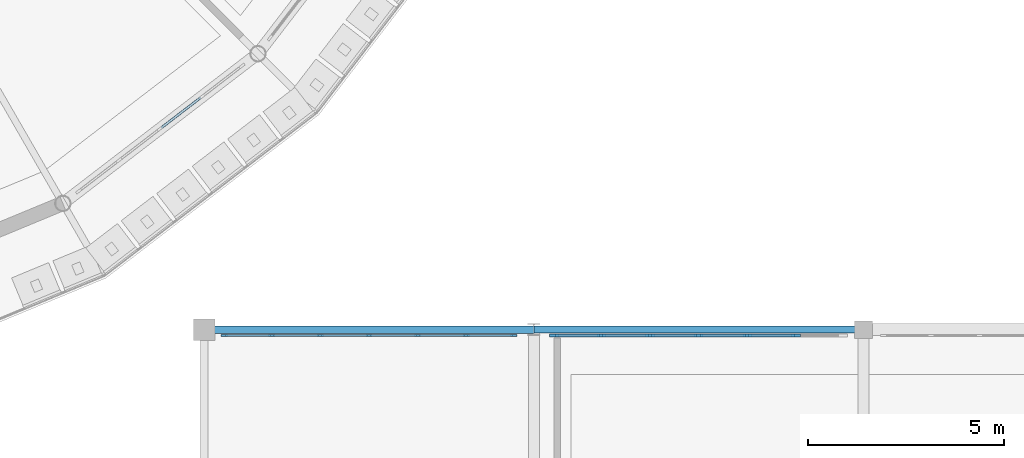
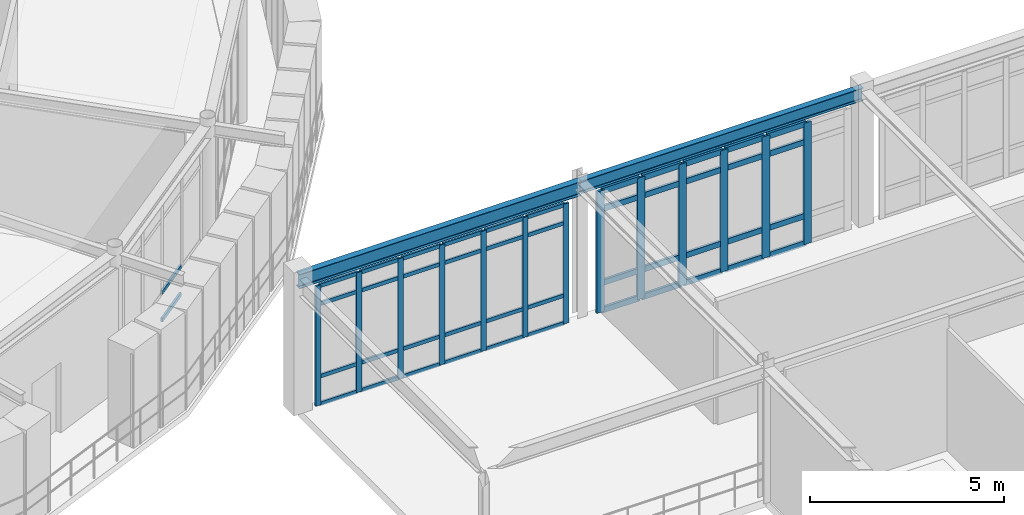
# One storey, part 40 of 106: 59 members, 2 beams, 3 elements without a shape of their own.
"""IFC4 building model written with IfcOpenShell, lengths in metres."""

from ifc_helpers import new_model, si_unit, derived_unit, direction, frame, origin, origin_2d, place, context, subcontext, project, spatial, rectangle, i_section, extrude, material, layer, layer_set, material_profile, profile_set, type_object, element, aggregate, save


model = new_model("IFC4")

# Units and contexts
model_context = context("Model", 3, precision=1e-05, world=origin(), true_north=direction((0.0, 1.0)))
body_context = subcontext(model_context, "Body", "Model", "MODEL_VIEW")
ifc_project = project(units=[si_unit("LENGTHUNIT", "METRE"), si_unit("AREAUNIT", "SQUARE_METRE"), si_unit("VOLUMEUNIT", "CUBIC_METRE"), si_unit("PLANEANGLEUNIT", "RADIAN"), si_unit("MASSUNIT", "GRAM", prefix="KILO"), derived_unit("THERMALTRANSMITTANCEUNIT", [(si_unit("POWERUNIT", "WATT"), 1), (si_unit("AREAUNIT", "SQUARE_METRE"), -1), (si_unit("THERMODYNAMICTEMPERATUREUNIT", "KELVIN"), -1)])], contexts=[model_context])

# Site, building, storey
site_placement = place(None, origin())
site = spatial("IfcSite", under=ifc_project, at=site_placement, CompositionType="ELEMENT")
building_placement = place(site_placement, origin())
building = spatial("IfcBuilding", under=site, at=building_placement, Name="Yasenodar Specialist Clinic", CompositionType="ELEMENT")
storey_placement = place(building_placement, frame((0.0, 0.0, 4.5)))
storey = spatial("IfcBuildingStorey", under=building, at=storey_placement, Name="L01", CompositionType="ELEMENT", Elevation=4.5)

# Beams
ifc_material_1 = material(Name="Steel S355", Category="steel")
ifc_material_profile_1 = material_profile(ifc_material_1, i_section(OverallWidth=0.179931640625, OverallDepth=0.39990234375, WebThickness=0.008544921875, FlangeThickness=0.013427734375, FilletRadius=0.02099609375, at=origin_2d()), Name="IPE 400")
ifc_profile_set_1 = profile_set([ifc_material_profile_1], Name="Steel S355")
beam_type_1 = type_object("IfcBeamType", Name="BM-IPE400", PredefinedType="BEAM", material=ifc_profile_set_1)
beam_1_placement = place(storey_placement, frame((105.0, 34.800048828125, 4.050048828125), z_axis=(1.0, 0.0, 0.0), x_axis=(0.0, 1.0, 0.0)))
element("IfcBeam", 1, at=beam_1_placement, inside=storey, type_object=beam_type_1, Name="L01 Primary E-W Girder", PredefinedType="BEAM", context=body_context, shape_type="SweptSolid", body=[
    extrude(i_section(OverallWidth=0.179931640625, OverallDepth=0.39990234375, WebThickness=0.008544921875, FlangeThickness=0.013427734375, FilletRadius=0.02099609375, at=origin_2d()), origin(), (0.0, 0.0, 1.0), 8.39990234375),
])
ifc_material_profile_2 = material_profile(ifc_material_1, i_section(OverallWidth=0.18994140625, OverallDepth=0.449951171875, WebThickness=0.009521484375, FlangeThickness=0.0146484375, FilletRadius=0.02099609375, at=origin_2d()), Name="IPE 450")
ifc_profile_set_2 = profile_set([ifc_material_profile_2], Name="Steel S355")
beam_type_2 = type_object("IfcBeamType", Name="BM-IPE450", PredefinedType="BEAM", material=ifc_profile_set_2)
beam_2_placement = place(storey_placement, frame((96.60009765625, 34.800048828125, 4.02490234375), z_axis=(1.0, 0.0, 0.0), x_axis=(0.0, 1.0, 0.0)))
element("IfcBeam", 2, at=beam_2_placement, inside=storey, type_object=beam_type_2, Name="L01 Primary E-W Girder", PredefinedType="BEAM", context=body_context, shape_type="SweptSolid", body=[
    extrude(i_section(OverallWidth=0.18994140625, OverallDepth=0.449951171875, WebThickness=0.009521484375, FlangeThickness=0.0146484375, FilletRadius=0.02099609375, at=origin_2d()), origin(), (0.0, 0.0, 1.0), 8.39990234375),
])

# Curtain wall, members
ifc_material_2 = material(Name="Bronze Anodized Aluminium and Triple Low-E Glass", Category="aluminium")
ifc_layer_1 = layer(ifc_material_2, 0.178955078125)
ifc_layer_set_1 = layer_set([ifc_layer_1], Name="Bronze Anodized Aluminium and Triple Low-E Glass")
curtain_wall_type_1 = type_object("IfcCurtainWallType", Name="CW-SYS-02", PredefinedType="USERDEFINED", material=ifc_layer_set_1)
curtain_wall_1_placement = place(storey_placement, origin())
curtain_wall_1 = element("IfcCurtainWall", 3, at=curtain_wall_1_placement, inside=storey, type_object=curtain_wall_type_1, Name="L01 Unitised Curtain Wall 094", ObjectType="UNITISED CURTAIN WALL", PredefinedType="USERDEFINED")
ifc_material_3 = material(Name="Bronze Anodized Aluminium", Category="aluminium")
ifc_material_profile_3 = material_profile(ifc_material_3, rectangle(XDim=0.06005859375, YDim=0.159912109375, at=origin_2d()), Name="CW-MULL 60x160")
ifc_profile_set_3 = profile_set([ifc_material_profile_3], Name="Bronze Anodized Aluminium")
member_type_1 = type_object("IfcMemberType", Name="CW-MULL-160", PredefinedType="MULLION", material=ifc_profile_set_3)
member_1_placement = place(storey_placement, frame((97.110107421875, 34.64990234375, 0.0), z_axis=(0.0, 0.0, 1.0), x_axis=(0.0, 1.0, 0.0)))
member_1 = element("IfcMember", 4, at=member_1_placement, type_object=member_type_1, Name="CW-02 mullion 1", PredefinedType="MULLION", context=body_context, shape_type="SweptSolid", body=[
    extrude(rectangle(XDim=0.06005859375, YDim=0.159912109375, at=origin_2d()), origin(), (0.0, 0.0, 1.0), 3.778076171875),
])
member_2_placement = place(storey_placement, frame((98.320068359375, 34.64990234375, 0.0), z_axis=(0.0, 0.0, 1.0), x_axis=(0.0, 1.0, 0.0)))
member_2 = element("IfcMember", 5, at=member_2_placement, type_object=member_type_1, Name="CW-02 mullion 2", PredefinedType="MULLION", context=body_context, shape_type="SweptSolid", body=[
    extrude(rectangle(XDim=0.06005859375, YDim=0.159912109375, at=origin_2d()), origin(), (0.0, 0.0, 1.0), 3.778076171875),
])
member_3_placement = place(storey_placement, frame((99.56005859375, 34.64990234375, 0.0), z_axis=(0.0, 0.0, 1.0), x_axis=(0.0, 1.0, 0.0)))
member_3 = element("IfcMember", 6, at=member_3_placement, type_object=member_type_1, Name="CW-02 mullion 3", PredefinedType="MULLION", context=body_context, shape_type="SweptSolid", body=[
    extrude(rectangle(XDim=0.06005859375, YDim=0.159912109375, at=origin_2d()), origin(), (0.0, 0.0, 1.0), 3.778076171875),
])
member_4_placement = place(storey_placement, frame((100.800048828125, 34.64990234375, 0.0), z_axis=(0.0, 0.0, 1.0), x_axis=(0.0, 1.0, 0.0)))
member_4 = element("IfcMember", 7, at=member_4_placement, type_object=member_type_1, Name="CW-02 mullion 4", PredefinedType="MULLION", context=body_context, shape_type="SweptSolid", body=[
    extrude(rectangle(XDim=0.06005859375, YDim=0.159912109375, at=origin_2d()), origin(), (0.0, 0.0, 1.0), 3.778076171875),
])
member_5_placement = place(storey_placement, frame((102.0400390625, 34.64990234375, 0.0), z_axis=(0.0, 0.0, 1.0), x_axis=(0.0, 1.0, 0.0)))
member_5 = element("IfcMember", 8, at=member_5_placement, type_object=member_type_1, Name="CW-02 mullion 5", PredefinedType="MULLION", context=body_context, shape_type="SweptSolid", body=[
    extrude(rectangle(XDim=0.06005859375, YDim=0.159912109375, at=origin_2d()), origin(), (0.0, 0.0, 1.0), 3.778076171875),
])
member_6_placement = place(storey_placement, frame((103.280029296875, 34.64990234375, 0.0), z_axis=(0.0, 0.0, 1.0), x_axis=(0.0, 1.0, 0.0)))
member_6 = element("IfcMember", 9, at=member_6_placement, type_object=member_type_1, Name="CW-02 mullion 6", PredefinedType="MULLION", context=body_context, shape_type="SweptSolid", body=[
    extrude(rectangle(XDim=0.06005859375, YDim=0.159912109375, at=origin_2d()), origin(), (0.0, 0.0, 1.0), 3.778076171875),
])
member_7_placement = place(storey_placement, frame((104.489990234375, 34.64990234375, 0.0), z_axis=(0.0, 0.0, 1.0), x_axis=(0.0, 1.0, 0.0)))
member_7 = element("IfcMember", 10, at=member_7_placement, type_object=member_type_1, Name="CW-02 mullion 7", PredefinedType="MULLION", context=body_context, shape_type="SweptSolid", body=[
    extrude(rectangle(XDim=0.06005859375, YDim=0.159912109375, at=origin_2d()), origin(), (0.0, 0.0, 1.0), 3.778076171875),
])

curtain_wall_2_placement = place(storey_placement, origin())
curtain_wall_2 = element("IfcCurtainWall", 11, at=curtain_wall_2_placement, inside=storey, type_object=curtain_wall_type_1, Name="L01 Unitised Curtain Wall 095", ObjectType="UNITISED CURTAIN WALL", PredefinedType="USERDEFINED")
ifc_material_profile_4 = material_profile(ifc_material_3, rectangle(XDim=0.074951171875, YDim=0.22509765625, at=origin_2d()), Name="CW-MULL 75x225")
ifc_profile_set_4 = profile_set([ifc_material_profile_4], Name="Bronze Anodized Aluminium")
member_type_2 = type_object("IfcMemberType", Name="CW-MULL-225", PredefinedType="MULLION", material=ifc_profile_set_4)
member_8_placement = place(storey_placement, frame((105.517578125, 34.64990234375, 0.0), z_axis=(0.0, 0.0, 1.0), x_axis=(0.0, 1.0, 0.0)))
member_8 = element("IfcMember", 12, at=member_8_placement, type_object=member_type_2, Name="CW-02 mullion 1", PredefinedType="MULLION", context=body_context, shape_type="SweptSolid", body=[
    extrude(rectangle(XDim=0.074951171875, YDim=0.22509765625, at=origin_2d()), origin(), (0.0, 0.0, 1.0), 3.827880859375),
])
member_9_placement = place(storey_placement, frame((106.719970703125, 34.64990234375, 0.0), z_axis=(0.0, 0.0, 1.0), x_axis=(0.0, 1.0, 0.0)))
member_9 = element("IfcMember", 13, at=member_9_placement, type_object=member_type_2, Name="CW-02 mullion 2", PredefinedType="MULLION", context=body_context, shape_type="SweptSolid", body=[
    extrude(rectangle(XDim=0.074951171875, YDim=0.22509765625, at=origin_2d()), origin(), (0.0, 0.0, 1.0), 3.827880859375),
])
member_10_placement = place(storey_placement, frame((107.9599609375, 34.64990234375, 0.0), z_axis=(0.0, 0.0, 1.0), x_axis=(0.0, 1.0, 0.0)))
member_10 = element("IfcMember", 14, at=member_10_placement, type_object=member_type_2, Name="CW-02 mullion 3", PredefinedType="MULLION", context=body_context, shape_type="SweptSolid", body=[
    extrude(rectangle(XDim=0.074951171875, YDim=0.22509765625, at=origin_2d()), origin(), (0.0, 0.0, 1.0), 3.827880859375),
])
member_11_placement = place(storey_placement, frame((109.199951171875, 34.64990234375, 0.0), z_axis=(0.0, 0.0, 1.0), x_axis=(0.0, 1.0, 0.0)))
member_11 = element("IfcMember", 15, at=member_11_placement, type_object=member_type_2, Name="CW-02 mullion 4", PredefinedType="MULLION", context=body_context, shape_type="SweptSolid", body=[
    extrude(rectangle(XDim=0.074951171875, YDim=0.22509765625, at=origin_2d()), origin(), (0.0, 0.0, 1.0), 3.827880859375),
])
member_12_placement = place(storey_placement, frame((110.43994140625, 34.64990234375, 0.0), z_axis=(0.0, 0.0, 1.0), x_axis=(0.0, 1.0, 0.0)))
member_12 = element("IfcMember", 16, at=member_12_placement, type_object=member_type_2, Name="CW-02 mullion 5", PredefinedType="MULLION", context=body_context, shape_type="SweptSolid", body=[
    extrude(rectangle(XDim=0.074951171875, YDim=0.22509765625, at=origin_2d()), origin(), (0.0, 0.0, 1.0), 3.827880859375),
])
member_13_placement = place(storey_placement, frame((111.679931640625, 34.64990234375, 0.0), z_axis=(0.0, 0.0, 1.0), x_axis=(0.0, 1.0, 0.0)))
member_13 = element("IfcMember", 17, at=member_13_placement, type_object=member_type_2, Name="CW-02 mullion 6", PredefinedType="MULLION", context=body_context, shape_type="SweptSolid", body=[
    extrude(rectangle(XDim=0.074951171875, YDim=0.22509765625, at=origin_2d()), origin(), (0.0, 0.0, 1.0), 3.827880859375),
])

ifc_layer_2 = layer(ifc_material_2, 0.1669921875)
ifc_layer_set_2 = layer_set([ifc_layer_2], Name="Bronze Anodized Aluminium and Triple Low-E Glass")
curtain_wall_type_2 = type_object("IfcCurtainWallType", Name="CW-SYS-01", PredefinedType="USERDEFINED", material=ifc_layer_set_2)
curtain_wall_3_placement = place(storey_placement, origin())
curtain_wall_3 = element("IfcCurtainWall", 18, at=curtain_wall_3_placement, inside=storey, type_object=curtain_wall_type_2, Name="L01 Unitised Curtain Wall 023", ObjectType="UNITISED CURTAIN WALL", PredefinedType="USERDEFINED")
ifc_material_profile_5 = material_profile(ifc_material_3, rectangle(XDim=0.06005859375, YDim=0.1201171875, at=origin_2d()), Name="CW-TRAN 60x120")
ifc_profile_set_5 = profile_set([ifc_material_profile_5], Name="Bronze Anodized Aluminium")
member_type_3 = type_object("IfcMemberType", Name="CW-TRAN-120", PredefinedType="USERDEFINED", material=ifc_profile_set_5)
member_14_placement = place(storey_placement, frame((96.513671875, 40.71142578125, 0.030029296875), z_axis=(-0.793404604701, -0.608694614104, 0.0), x_axis=(0.608694614104, -0.793404604701, 0.0)))
member_14 = element("IfcMember", 19, at=member_14_placement, type_object=member_type_3, Name="CW-01 transom 2.1", ObjectType="TRANSOM", PredefinedType="USERDEFINED", context=body_context, shape_type="SweptSolid", body=[
    extrude(rectangle(XDim=0.06005859375, YDim=0.1201171875, at=origin_2d()), origin(), (0.0, 0.0, 1.0), 1.266357421875),
])
member_15_placement = place(storey_placement, frame((96.513671875, 40.71142578125, 0.89990234375), z_axis=(-0.793404604701, -0.608694614104, 0.0), x_axis=(0.608694614104, -0.793404604701, 0.0)))
member_15 = element("IfcMember", 20, at=member_15_placement, type_object=member_type_3, Name="CW-01 transom 2.2", ObjectType="TRANSOM", PredefinedType="USERDEFINED", context=body_context, shape_type="SweptSolid", body=[
    extrude(rectangle(XDim=0.06005859375, YDim=0.1201171875, at=origin_2d()), origin(), (0.0, 0.0, 1.0), 1.266357421875),
])
aggregate(curtain_wall_3, [member_14, member_15])

# Member
member_16_placement = place(storey_placement, frame((97.139892578125, 34.64990234375, 0.030029296875), z_axis=(1.0, 0.0, 0.0), x_axis=(0.0, 1.0, 0.0)))
member_16 = element("IfcMember", 21, at=member_16_placement, type_object=member_type_3, Name="CW-02 transom 1.1", ObjectType="TRANSOM", PredefinedType="USERDEFINED", context=body_context, shape_type="SweptSolid", body=[
    extrude(rectangle(XDim=0.06005859375, YDim=0.1201171875, at=origin_2d()), origin(), (0.0, 0.0, 1.0), 1.150146484375),
])

member_17_placement = place(storey_placement, frame((97.139892578125, 34.64990234375, 0.89990234375), z_axis=(1.0, 0.0, 0.0), x_axis=(0.0, 1.0, 0.0)))
member_17 = element("IfcMember", 22, at=member_17_placement, type_object=member_type_3, Name="CW-02 transom 1.2", ObjectType="TRANSOM", PredefinedType="USERDEFINED", context=body_context, shape_type="SweptSolid", body=[
    extrude(rectangle(XDim=0.06005859375, YDim=0.1201171875, at=origin_2d()), origin(), (0.0, 0.0, 1.0), 1.150146484375),
])

member_18_placement = place(storey_placement, frame((97.139892578125, 34.64990234375, 3.177978515625), z_axis=(1.0, 0.0, 0.0), x_axis=(0.0, 1.0, 0.0)))
member_18 = element("IfcMember", 23, at=member_18_placement, type_object=member_type_3, Name="CW-02 transom 1.3", ObjectType="TRANSOM", PredefinedType="USERDEFINED", context=body_context, shape_type="SweptSolid", body=[
    extrude(rectangle(XDim=0.06005859375, YDim=0.1201171875, at=origin_2d()), origin(), (0.0, 0.0, 1.0), 1.150146484375),
])

member_19_placement = place(storey_placement, frame((97.139892578125, 34.64990234375, 3.748046875), z_axis=(1.0, 0.0, 0.0), x_axis=(0.0, 1.0, 0.0)))
member_19 = element("IfcMember", 24, at=member_19_placement, type_object=member_type_3, Name="CW-02 transom 1.4", ObjectType="TRANSOM", PredefinedType="USERDEFINED", context=body_context, shape_type="SweptSolid", body=[
    extrude(rectangle(XDim=0.06005859375, YDim=0.1201171875, at=origin_2d()), origin(), (0.0, 0.0, 1.0), 1.150146484375),
])

member_20_placement = place(storey_placement, frame((98.35009765625, 34.64990234375, 0.030029296875), z_axis=(1.0, 0.0, 0.0), x_axis=(0.0, 1.0, 0.0)))
member_20 = element("IfcMember", 25, at=member_20_placement, type_object=member_type_3, Name="CW-02 transom 2.1", ObjectType="TRANSOM", PredefinedType="USERDEFINED", context=body_context, shape_type="SweptSolid", body=[
    extrude(rectangle(XDim=0.06005859375, YDim=0.1201171875, at=origin_2d()), origin(), (0.0, 0.0, 1.0), 1.179931640625),
])

member_21_placement = place(storey_placement, frame((98.35009765625, 34.64990234375, 0.89990234375), z_axis=(1.0, 0.0, 0.0), x_axis=(0.0, 1.0, 0.0)))
member_21 = element("IfcMember", 26, at=member_21_placement, type_object=member_type_3, Name="CW-02 transom 2.2", ObjectType="TRANSOM", PredefinedType="USERDEFINED", context=body_context, shape_type="SweptSolid", body=[
    extrude(rectangle(XDim=0.06005859375, YDim=0.1201171875, at=origin_2d()), origin(), (0.0, 0.0, 1.0), 1.179931640625),
])

member_22_placement = place(storey_placement, frame((98.35009765625, 34.64990234375, 3.177978515625), z_axis=(1.0, 0.0, 0.0), x_axis=(0.0, 1.0, 0.0)))
member_22 = element("IfcMember", 27, at=member_22_placement, type_object=member_type_3, Name="CW-02 transom 2.3", ObjectType="TRANSOM", PredefinedType="USERDEFINED", context=body_context, shape_type="SweptSolid", body=[
    extrude(rectangle(XDim=0.06005859375, YDim=0.1201171875, at=origin_2d()), origin(), (0.0, 0.0, 1.0), 1.179931640625),
])

member_23_placement = place(storey_placement, frame((98.35009765625, 34.64990234375, 3.748046875), z_axis=(1.0, 0.0, 0.0), x_axis=(0.0, 1.0, 0.0)))
member_23 = element("IfcMember", 28, at=member_23_placement, type_object=member_type_3, Name="CW-02 transom 2.4", ObjectType="TRANSOM", PredefinedType="USERDEFINED", context=body_context, shape_type="SweptSolid", body=[
    extrude(rectangle(XDim=0.06005859375, YDim=0.1201171875, at=origin_2d()), origin(), (0.0, 0.0, 1.0), 1.179931640625),
])

member_24_placement = place(storey_placement, frame((99.590087890625, 34.64990234375, 0.030029296875), z_axis=(1.0, 0.0, 0.0), x_axis=(0.0, 1.0, 0.0)))
member_24 = element("IfcMember", 29, at=member_24_placement, type_object=member_type_3, Name="CW-02 transom 3.1", ObjectType="TRANSOM", PredefinedType="USERDEFINED", context=body_context, shape_type="SweptSolid", body=[
    extrude(rectangle(XDim=0.06005859375, YDim=0.1201171875, at=origin_2d()), origin(), (0.0, 0.0, 1.0), 1.179931640625),
])

member_25_placement = place(storey_placement, frame((99.590087890625, 34.64990234375, 0.89990234375), z_axis=(1.0, 0.0, 0.0), x_axis=(0.0, 1.0, 0.0)))
member_25 = element("IfcMember", 30, at=member_25_placement, type_object=member_type_3, Name="CW-02 transom 3.2", ObjectType="TRANSOM", PredefinedType="USERDEFINED", context=body_context, shape_type="SweptSolid", body=[
    extrude(rectangle(XDim=0.06005859375, YDim=0.1201171875, at=origin_2d()), origin(), (0.0, 0.0, 1.0), 1.179931640625),
])

member_26_placement = place(storey_placement, frame((99.590087890625, 34.64990234375, 3.177978515625), z_axis=(1.0, 0.0, 0.0), x_axis=(0.0, 1.0, 0.0)))
member_26 = element("IfcMember", 31, at=member_26_placement, type_object=member_type_3, Name="CW-02 transom 3.3", ObjectType="TRANSOM", PredefinedType="USERDEFINED", context=body_context, shape_type="SweptSolid", body=[
    extrude(rectangle(XDim=0.06005859375, YDim=0.1201171875, at=origin_2d()), origin(), (0.0, 0.0, 1.0), 1.179931640625),
])

member_27_placement = place(storey_placement, frame((99.590087890625, 34.64990234375, 3.748046875), z_axis=(1.0, 0.0, 0.0), x_axis=(0.0, 1.0, 0.0)))
member_27 = element("IfcMember", 32, at=member_27_placement, type_object=member_type_3, Name="CW-02 transom 3.4", ObjectType="TRANSOM", PredefinedType="USERDEFINED", context=body_context, shape_type="SweptSolid", body=[
    extrude(rectangle(XDim=0.06005859375, YDim=0.1201171875, at=origin_2d()), origin(), (0.0, 0.0, 1.0), 1.179931640625),
])

member_28_placement = place(storey_placement, frame((100.830078125, 34.64990234375, 0.030029296875), z_axis=(1.0, 0.0, 0.0), x_axis=(0.0, 1.0, 0.0)))
member_28 = element("IfcMember", 33, at=member_28_placement, type_object=member_type_3, Name="CW-02 transom 4.1", ObjectType="TRANSOM", PredefinedType="USERDEFINED", context=body_context, shape_type="SweptSolid", body=[
    extrude(rectangle(XDim=0.06005859375, YDim=0.1201171875, at=origin_2d()), origin(), (0.0, 0.0, 1.0), 1.179931640625),
])

member_29_placement = place(storey_placement, frame((100.830078125, 34.64990234375, 0.89990234375), z_axis=(1.0, 0.0, 0.0), x_axis=(0.0, 1.0, 0.0)))
member_29 = element("IfcMember", 34, at=member_29_placement, type_object=member_type_3, Name="CW-02 transom 4.2", ObjectType="TRANSOM", PredefinedType="USERDEFINED", context=body_context, shape_type="SweptSolid", body=[
    extrude(rectangle(XDim=0.06005859375, YDim=0.1201171875, at=origin_2d()), origin(), (0.0, 0.0, 1.0), 1.179931640625),
])

member_30_placement = place(storey_placement, frame((100.830078125, 34.64990234375, 3.177978515625), z_axis=(1.0, 0.0, 0.0), x_axis=(0.0, 1.0, 0.0)))
member_30 = element("IfcMember", 35, at=member_30_placement, type_object=member_type_3, Name="CW-02 transom 4.3", ObjectType="TRANSOM", PredefinedType="USERDEFINED", context=body_context, shape_type="SweptSolid", body=[
    extrude(rectangle(XDim=0.06005859375, YDim=0.1201171875, at=origin_2d()), origin(), (0.0, 0.0, 1.0), 1.179931640625),
])

member_31_placement = place(storey_placement, frame((100.830078125, 34.64990234375, 3.748046875), z_axis=(1.0, 0.0, 0.0), x_axis=(0.0, 1.0, 0.0)))
member_31 = element("IfcMember", 36, at=member_31_placement, type_object=member_type_3, Name="CW-02 transom 4.4", ObjectType="TRANSOM", PredefinedType="USERDEFINED", context=body_context, shape_type="SweptSolid", body=[
    extrude(rectangle(XDim=0.06005859375, YDim=0.1201171875, at=origin_2d()), origin(), (0.0, 0.0, 1.0), 1.179931640625),
])

member_32_placement = place(storey_placement, frame((102.070068359375, 34.64990234375, 0.030029296875), z_axis=(1.0, 0.0, 0.0), x_axis=(0.0, 1.0, 0.0)))
member_32 = element("IfcMember", 37, at=member_32_placement, type_object=member_type_3, Name="CW-02 transom 5.1", ObjectType="TRANSOM", PredefinedType="USERDEFINED", context=body_context, shape_type="SweptSolid", body=[
    extrude(rectangle(XDim=0.06005859375, YDim=0.1201171875, at=origin_2d()), origin(), (0.0, 0.0, 1.0), 1.179931640625),
])

member_33_placement = place(storey_placement, frame((102.070068359375, 34.64990234375, 0.89990234375), z_axis=(1.0, 0.0, 0.0), x_axis=(0.0, 1.0, 0.0)))
member_33 = element("IfcMember", 38, at=member_33_placement, type_object=member_type_3, Name="CW-02 transom 5.2", ObjectType="TRANSOM", PredefinedType="USERDEFINED", context=body_context, shape_type="SweptSolid", body=[
    extrude(rectangle(XDim=0.06005859375, YDim=0.1201171875, at=origin_2d()), origin(), (0.0, 0.0, 1.0), 1.179931640625),
])

member_34_placement = place(storey_placement, frame((102.070068359375, 34.64990234375, 3.177978515625), z_axis=(1.0, 0.0, 0.0), x_axis=(0.0, 1.0, 0.0)))
member_34 = element("IfcMember", 39, at=member_34_placement, type_object=member_type_3, Name="CW-02 transom 5.3", ObjectType="TRANSOM", PredefinedType="USERDEFINED", context=body_context, shape_type="SweptSolid", body=[
    extrude(rectangle(XDim=0.06005859375, YDim=0.1201171875, at=origin_2d()), origin(), (0.0, 0.0, 1.0), 1.179931640625),
])

member_35_placement = place(storey_placement, frame((102.070068359375, 34.64990234375, 3.748046875), z_axis=(1.0, 0.0, 0.0), x_axis=(0.0, 1.0, 0.0)))
member_35 = element("IfcMember", 40, at=member_35_placement, type_object=member_type_3, Name="CW-02 transom 5.4", ObjectType="TRANSOM", PredefinedType="USERDEFINED", context=body_context, shape_type="SweptSolid", body=[
    extrude(rectangle(XDim=0.06005859375, YDim=0.1201171875, at=origin_2d()), origin(), (0.0, 0.0, 1.0), 1.179931640625),
])

member_36_placement = place(storey_placement, frame((103.31005859375, 34.64990234375, 0.030029296875), z_axis=(1.0, 0.0, 0.0), x_axis=(0.0, 1.0, 0.0)))
member_36 = element("IfcMember", 41, at=member_36_placement, type_object=member_type_3, Name="CW-02 transom 6.1", ObjectType="TRANSOM", PredefinedType="USERDEFINED", context=body_context, shape_type="SweptSolid", body=[
    extrude(rectangle(XDim=0.06005859375, YDim=0.1201171875, at=origin_2d()), origin(), (0.0, 0.0, 1.0), 1.14990234375),
])

member_37_placement = place(storey_placement, frame((103.31005859375, 34.64990234375, 0.89990234375), z_axis=(1.0, 0.0, 0.0), x_axis=(0.0, 1.0, 0.0)))
member_37 = element("IfcMember", 42, at=member_37_placement, type_object=member_type_3, Name="CW-02 transom 6.2", ObjectType="TRANSOM", PredefinedType="USERDEFINED", context=body_context, shape_type="SweptSolid", body=[
    extrude(rectangle(XDim=0.06005859375, YDim=0.1201171875, at=origin_2d()), origin(), (0.0, 0.0, 1.0), 1.14990234375),
])

member_38_placement = place(storey_placement, frame((103.31005859375, 34.64990234375, 3.177978515625), z_axis=(1.0, 0.0, 0.0), x_axis=(0.0, 1.0, 0.0)))
member_38 = element("IfcMember", 43, at=member_38_placement, type_object=member_type_3, Name="CW-02 transom 6.3", ObjectType="TRANSOM", PredefinedType="USERDEFINED", context=body_context, shape_type="SweptSolid", body=[
    extrude(rectangle(XDim=0.06005859375, YDim=0.1201171875, at=origin_2d()), origin(), (0.0, 0.0, 1.0), 1.14990234375),
])

member_39_placement = place(storey_placement, frame((103.31005859375, 34.64990234375, 3.748046875), z_axis=(1.0, 0.0, 0.0), x_axis=(0.0, 1.0, 0.0)))
member_39 = element("IfcMember", 44, at=member_39_placement, type_object=member_type_3, Name="CW-02 transom 6.4", ObjectType="TRANSOM", PredefinedType="USERDEFINED", context=body_context, shape_type="SweptSolid", body=[
    extrude(rectangle(XDim=0.06005859375, YDim=0.1201171875, at=origin_2d()), origin(), (0.0, 0.0, 1.0), 1.14990234375),
])

aggregate(curtain_wall_1, [member_1, member_2, member_3, member_4, member_5, member_6, member_7, member_16, member_17, member_18, member_19, member_20, member_21, member_22, member_23, member_24, member_25, member_26, member_27, member_28, member_29, member_30, member_31, member_32, member_33, member_34, member_35, member_36, member_37, member_38, member_39])

ifc_material_profile_6 = material_profile(ifc_material_3, rectangle(XDim=0.074951171875, YDim=0.175048828125, at=origin_2d()), Name="CW-TRAN 75x175")
ifc_profile_set_6 = profile_set([ifc_material_profile_6], Name="Bronze Anodized Aluminium")
member_type_4 = type_object("IfcMemberType", Name="CW-TRAN-175", PredefinedType="USERDEFINED", material=ifc_profile_set_6)
member_40_placement = place(storey_placement, frame((105.554931640625, 34.64990234375, 0.03759765625), z_axis=(1.0, 0.0, 0.0), x_axis=(0.0, 1.0, 0.0)))
member_40 = element("IfcMember", 45, at=member_40_placement, type_object=member_type_4, Name="CW-02 transom 1.1", ObjectType="TRANSOM", PredefinedType="USERDEFINED", context=body_context, shape_type="SweptSolid", body=[
    extrude(rectangle(XDim=0.074951171875, YDim=0.175048828125, at=origin_2d()), origin(), (0.0, 0.0, 1.0), 1.127685546875),
])

member_41_placement = place(storey_placement, frame((105.554931640625, 34.64990234375, 0.89990234375), z_axis=(1.0, 0.0, 0.0), x_axis=(0.0, 1.0, 0.0)))
member_41 = element("IfcMember", 46, at=member_41_placement, type_object=member_type_4, Name="CW-02 transom 1.2", ObjectType="TRANSOM", PredefinedType="USERDEFINED", context=body_context, shape_type="SweptSolid", body=[
    extrude(rectangle(XDim=0.074951171875, YDim=0.175048828125, at=origin_2d()), origin(), (0.0, 0.0, 1.0), 1.127685546875),
])

member_42_placement = place(storey_placement, frame((105.554931640625, 34.64990234375, 3.22802734375), z_axis=(1.0, 0.0, 0.0), x_axis=(0.0, 1.0, 0.0)))
member_42 = element("IfcMember", 47, at=member_42_placement, type_object=member_type_4, Name="CW-02 transom 1.3", ObjectType="TRANSOM", PredefinedType="USERDEFINED", context=body_context, shape_type="SweptSolid", body=[
    extrude(rectangle(XDim=0.074951171875, YDim=0.175048828125, at=origin_2d()), origin(), (0.0, 0.0, 1.0), 1.127685546875),
])

member_43_placement = place(storey_placement, frame((105.554931640625, 34.64990234375, 3.79052734375), z_axis=(1.0, 0.0, 0.0), x_axis=(0.0, 1.0, 0.0)))
member_43 = element("IfcMember", 48, at=member_43_placement, type_object=member_type_4, Name="CW-02 transom 1.4", ObjectType="TRANSOM", PredefinedType="USERDEFINED", context=body_context, shape_type="SweptSolid", body=[
    extrude(rectangle(XDim=0.074951171875, YDim=0.175048828125, at=origin_2d()), origin(), (0.0, 0.0, 1.0), 1.127685546875),
])

member_44_placement = place(storey_placement, frame((106.757568359375, 34.64990234375, 0.03759765625), z_axis=(1.0, 0.0, 0.0), x_axis=(0.0, 1.0, 0.0)))
member_44 = element("IfcMember", 49, at=member_44_placement, type_object=member_type_4, Name="CW-02 transom 2.1", ObjectType="TRANSOM", PredefinedType="USERDEFINED", context=body_context, shape_type="SweptSolid", body=[
    extrude(rectangle(XDim=0.074951171875, YDim=0.175048828125, at=origin_2d()), origin(), (0.0, 0.0, 1.0), 1.1650390625),
])

member_45_placement = place(storey_placement, frame((106.757568359375, 34.64990234375, 0.89990234375), z_axis=(1.0, 0.0, 0.0), x_axis=(0.0, 1.0, 0.0)))
member_45 = element("IfcMember", 50, at=member_45_placement, type_object=member_type_4, Name="CW-02 transom 2.2", ObjectType="TRANSOM", PredefinedType="USERDEFINED", context=body_context, shape_type="SweptSolid", body=[
    extrude(rectangle(XDim=0.074951171875, YDim=0.175048828125, at=origin_2d()), origin(), (0.0, 0.0, 1.0), 1.1650390625),
])

member_46_placement = place(storey_placement, frame((106.757568359375, 34.64990234375, 3.22802734375), z_axis=(1.0, 0.0, 0.0), x_axis=(0.0, 1.0, 0.0)))
member_46 = element("IfcMember", 51, at=member_46_placement, type_object=member_type_4, Name="CW-02 transom 2.3", ObjectType="TRANSOM", PredefinedType="USERDEFINED", context=body_context, shape_type="SweptSolid", body=[
    extrude(rectangle(XDim=0.074951171875, YDim=0.175048828125, at=origin_2d()), origin(), (0.0, 0.0, 1.0), 1.1650390625),
])

member_47_placement = place(storey_placement, frame((106.757568359375, 34.64990234375, 3.79052734375), z_axis=(1.0, 0.0, 0.0), x_axis=(0.0, 1.0, 0.0)))
member_47 = element("IfcMember", 52, at=member_47_placement, type_object=member_type_4, Name="CW-02 transom 2.4", ObjectType="TRANSOM", PredefinedType="USERDEFINED", context=body_context, shape_type="SweptSolid", body=[
    extrude(rectangle(XDim=0.074951171875, YDim=0.175048828125, at=origin_2d()), origin(), (0.0, 0.0, 1.0), 1.1650390625),
])

member_48_placement = place(storey_placement, frame((107.99755859375, 34.64990234375, 0.03759765625), z_axis=(1.0, 0.0, 0.0), x_axis=(0.0, 1.0, 0.0)))
member_48 = element("IfcMember", 53, at=member_48_placement, type_object=member_type_4, Name="CW-02 transom 3.1", ObjectType="TRANSOM", PredefinedType="USERDEFINED", context=body_context, shape_type="SweptSolid", body=[
    extrude(rectangle(XDim=0.074951171875, YDim=0.175048828125, at=origin_2d()), origin(), (0.0, 0.0, 1.0), 1.1650390625),
])

member_49_placement = place(storey_placement, frame((107.99755859375, 34.64990234375, 0.89990234375), z_axis=(1.0, 0.0, 0.0), x_axis=(0.0, 1.0, 0.0)))
member_49 = element("IfcMember", 54, at=member_49_placement, type_object=member_type_4, Name="CW-02 transom 3.2", ObjectType="TRANSOM", PredefinedType="USERDEFINED", context=body_context, shape_type="SweptSolid", body=[
    extrude(rectangle(XDim=0.074951171875, YDim=0.175048828125, at=origin_2d()), origin(), (0.0, 0.0, 1.0), 1.1650390625),
])

member_50_placement = place(storey_placement, frame((107.99755859375, 34.64990234375, 3.22802734375), z_axis=(1.0, 0.0, 0.0), x_axis=(0.0, 1.0, 0.0)))
member_50 = element("IfcMember", 55, at=member_50_placement, type_object=member_type_4, Name="CW-02 transom 3.3", ObjectType="TRANSOM", PredefinedType="USERDEFINED", context=body_context, shape_type="SweptSolid", body=[
    extrude(rectangle(XDim=0.074951171875, YDim=0.175048828125, at=origin_2d()), origin(), (0.0, 0.0, 1.0), 1.1650390625),
])

member_51_placement = place(storey_placement, frame((107.99755859375, 34.64990234375, 3.79052734375), z_axis=(1.0, 0.0, 0.0), x_axis=(0.0, 1.0, 0.0)))
member_51 = element("IfcMember", 56, at=member_51_placement, type_object=member_type_4, Name="CW-02 transom 3.4", ObjectType="TRANSOM", PredefinedType="USERDEFINED", context=body_context, shape_type="SweptSolid", body=[
    extrude(rectangle(XDim=0.074951171875, YDim=0.175048828125, at=origin_2d()), origin(), (0.0, 0.0, 1.0), 1.1650390625),
])

member_52_placement = place(storey_placement, frame((109.237548828125, 34.64990234375, 0.03759765625), z_axis=(1.0, 0.0, 0.0), x_axis=(0.0, 1.0, 0.0)))
member_52 = element("IfcMember", 57, at=member_52_placement, type_object=member_type_4, Name="CW-02 transom 4.1", ObjectType="TRANSOM", PredefinedType="USERDEFINED", context=body_context, shape_type="SweptSolid", body=[
    extrude(rectangle(XDim=0.074951171875, YDim=0.175048828125, at=origin_2d()), origin(), (0.0, 0.0, 1.0), 1.1650390625),
])

member_53_placement = place(storey_placement, frame((109.237548828125, 34.64990234375, 0.89990234375), z_axis=(1.0, 0.0, 0.0), x_axis=(0.0, 1.0, 0.0)))
member_53 = element("IfcMember", 58, at=member_53_placement, type_object=member_type_4, Name="CW-02 transom 4.2", ObjectType="TRANSOM", PredefinedType="USERDEFINED", context=body_context, shape_type="SweptSolid", body=[
    extrude(rectangle(XDim=0.074951171875, YDim=0.175048828125, at=origin_2d()), origin(), (0.0, 0.0, 1.0), 1.1650390625),
])

member_54_placement = place(storey_placement, frame((109.237548828125, 34.64990234375, 3.22802734375), z_axis=(1.0, 0.0, 0.0), x_axis=(0.0, 1.0, 0.0)))
member_54 = element("IfcMember", 59, at=member_54_placement, type_object=member_type_4, Name="CW-02 transom 4.3", ObjectType="TRANSOM", PredefinedType="USERDEFINED", context=body_context, shape_type="SweptSolid", body=[
    extrude(rectangle(XDim=0.074951171875, YDim=0.175048828125, at=origin_2d()), origin(), (0.0, 0.0, 1.0), 1.1650390625),
])

member_55_placement = place(storey_placement, frame((109.237548828125, 34.64990234375, 3.79052734375), z_axis=(1.0, 0.0, 0.0), x_axis=(0.0, 1.0, 0.0)))
member_55 = element("IfcMember", 60, at=member_55_placement, type_object=member_type_4, Name="CW-02 transom 4.4", ObjectType="TRANSOM", PredefinedType="USERDEFINED", context=body_context, shape_type="SweptSolid", body=[
    extrude(rectangle(XDim=0.074951171875, YDim=0.175048828125, at=origin_2d()), origin(), (0.0, 0.0, 1.0), 1.1650390625),
])

member_56_placement = place(storey_placement, frame((110.4775390625, 34.64990234375, 0.03759765625), z_axis=(1.0, 0.0, 0.0), x_axis=(0.0, 1.0, 0.0)))
member_56 = element("IfcMember", 61, at=member_56_placement, type_object=member_type_4, Name="CW-02 transom 5.1", ObjectType="TRANSOM", PredefinedType="USERDEFINED", context=body_context, shape_type="SweptSolid", body=[
    extrude(rectangle(XDim=0.074951171875, YDim=0.175048828125, at=origin_2d()), origin(), (0.0, 0.0, 1.0), 1.1650390625),
])

member_57_placement = place(storey_placement, frame((110.4775390625, 34.64990234375, 0.89990234375), z_axis=(1.0, 0.0, 0.0), x_axis=(0.0, 1.0, 0.0)))
member_57 = element("IfcMember", 62, at=member_57_placement, type_object=member_type_4, Name="CW-02 transom 5.2", ObjectType="TRANSOM", PredefinedType="USERDEFINED", context=body_context, shape_type="SweptSolid", body=[
    extrude(rectangle(XDim=0.074951171875, YDim=0.175048828125, at=origin_2d()), origin(), (0.0, 0.0, 1.0), 1.1650390625),
])

member_58_placement = place(storey_placement, frame((110.4775390625, 34.64990234375, 3.22802734375), z_axis=(1.0, 0.0, 0.0), x_axis=(0.0, 1.0, 0.0)))
member_58 = element("IfcMember", 63, at=member_58_placement, type_object=member_type_4, Name="CW-02 transom 5.3", ObjectType="TRANSOM", PredefinedType="USERDEFINED", context=body_context, shape_type="SweptSolid", body=[
    extrude(rectangle(XDim=0.074951171875, YDim=0.175048828125, at=origin_2d()), origin(), (0.0, 0.0, 1.0), 1.1650390625),
])

member_59_placement = place(storey_placement, frame((110.4775390625, 34.64990234375, 3.79052734375), z_axis=(1.0, 0.0, 0.0), x_axis=(0.0, 1.0, 0.0)))
member_59 = element("IfcMember", 64, at=member_59_placement, type_object=member_type_4, Name="CW-02 transom 5.4", ObjectType="TRANSOM", PredefinedType="USERDEFINED", context=body_context, shape_type="SweptSolid", body=[
    extrude(rectangle(XDim=0.074951171875, YDim=0.175048828125, at=origin_2d()), origin(), (0.0, 0.0, 1.0), 1.1650390625),
])

aggregate(curtain_wall_2, [member_8, member_9, member_10, member_11, member_12, member_13, member_40, member_41, member_42, member_43, member_44, member_45, member_46, member_47, member_48, member_49, member_50, member_51, member_52, member_53, member_54, member_55, member_56, member_57, member_58, member_59])

save(model, "model.ifc")
